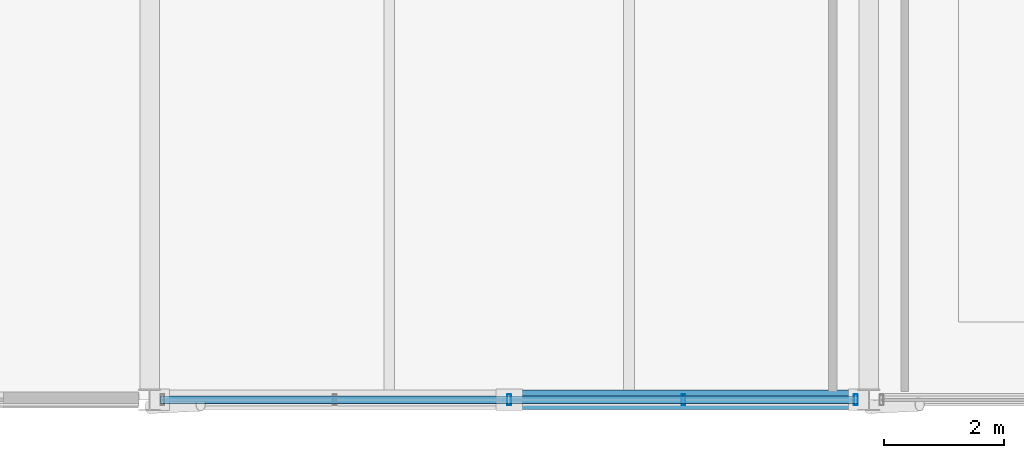
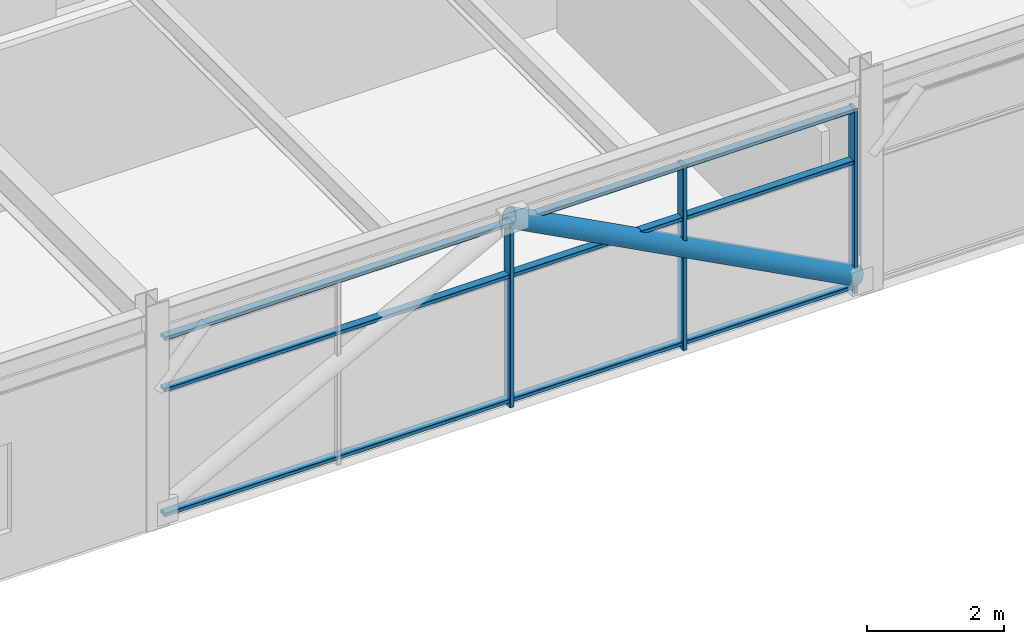
# One storey, part 7 of 40: 7 members, 1 element without a shape of its own.
"""IFC4 building model written with IfcOpenShell, lengths in metres."""

from ifc_helpers import new_model, si_unit, direction, frame, origin, origin_2d, place, context, subcontext, project, spatial, hollow_rectangle, hollow_circle, extrude, material, material_profile, profile_set, type_object, element, aggregate, save


model = new_model("IFC4")

# Units and contexts
model_context = context("Model", 3, precision=1e-05, world=origin(), true_north=direction((0.0, 1.0)))
body_context = subcontext(model_context, "Body", "Model", "MODEL_VIEW")
ifc_project = project(units=[si_unit("LENGTHUNIT", "METRE"), si_unit("AREAUNIT", "SQUARE_METRE"), si_unit("VOLUMEUNIT", "CUBIC_METRE"), si_unit("PLANEANGLEUNIT", "RADIAN"), si_unit("MASSUNIT", "GRAM", prefix="KILO")], contexts=[model_context])

# Site, building, storey
site_placement = place(None, origin())
site = spatial("IfcSite", under=ifc_project, at=site_placement, CompositionType="ELEMENT")
building_placement = place(site_placement, origin())
building = spatial("IfcBuilding", under=site, at=building_placement, Name="Girod Span Mobility Hub", CompositionType="ELEMENT")
storey_placement = place(building_placement, frame((0.0, 0.0, 53.60009765625)))
storey = spatial("IfcBuildingStorey", under=building, at=storey_placement, Name="L13", CompositionType="ELEMENT", Elevation=53.60009765625)

# Curtain wall, members
ifc_material_1 = material(Name="Thermally Broken Anodised Aluminium", Category="aluminium")
curtain_wall_type = type_object("IfcCurtainWallType", Name="CW-1164X327", PredefinedType="USERDEFINED", material=ifc_material_1)
curtain_wall_placement = place(storey_placement, origin())
curtain_wall = element("IfcCurtainWall", 1, at=curtain_wall_placement, inside=storey, type_object=curtain_wall_type, Name="Unitised Curtain Wall CW-L13-S05 L13", ObjectType="UNITISED CURTAIN WALL", PredefinedType="USERDEFINED")
ifc_material_2 = material(Name="Thermally Broken Anodised Aluminium", Category="aluminium")
ifc_material_profile_1 = material_profile(ifc_material_2, hollow_rectangle(XDim=0.179931640625, YDim=0.06494140625, WallThickness=0.00390625, InnerFilletRadius=0.00390625, OuterFilletRadius=0.008056640625, at=origin_2d()), Name="CW-ML-65X180")
ifc_profile_set_1 = profile_set([ifc_material_profile_1], Name="Thermally Broken Anodised Aluminium")
member_type_1 = type_object("IfcMemberType", Name="CWM-ML-2", PredefinedType="MULLION", material=ifc_profile_set_1)
member_1_placement = place(storey_placement, frame((54.0, 45.0, 0.0), z_axis=(0.0, 0.0, 1.0), x_axis=(0.0, 1.0, 0.0)))
member_1 = element("IfcMember", 2, at=member_1_placement, type_object=member_type_1, Name="Curtain Wall Mullion CW-L13-S05-M2", PredefinedType="MULLION", context=body_context, shape_type="SweptSolid", body=[
    extrude(hollow_rectangle(XDim=0.179931640625, YDim=0.06494140625, WallThickness=0.00390625, InnerFilletRadius=0.00390625, OuterFilletRadius=0.008056640625, at=origin_2d()), origin(), (0.0, 0.0, 1.0), 3.27099609375),
])
member_2_placement = place(storey_placement, frame((56.90869140625, 45.0, 0.0), z_axis=(0.0, 0.0, 1.0), x_axis=(0.0, 1.0, 0.0)))
member_2 = element("IfcMember", 3, at=member_2_placement, type_object=member_type_1, Name="Curtain Wall Mullion CW-L13-S05-M3", PredefinedType="MULLION", context=body_context, shape_type="SweptSolid", body=[
    extrude(hollow_rectangle(XDim=0.179931640625, YDim=0.06494140625, WallThickness=0.00390625, InnerFilletRadius=0.00390625, OuterFilletRadius=0.008056640625, at=origin_2d()), origin(), (0.0, 0.0, 1.0), 3.27099609375),
])
member_3_placement = place(storey_placement, frame((59.785400390625, 45.0, 0.0), z_axis=(0.0, 0.0, 1.0), x_axis=(0.0, 1.0, 0.0)))
member_3 = element("IfcMember", 4, at=member_3_placement, type_object=member_type_1, Name="Curtain Wall Mullion CW-L13-S05-M4", PredefinedType="MULLION", context=body_context, shape_type="SweptSolid", body=[
    extrude(hollow_rectangle(XDim=0.179931640625, YDim=0.06494140625, WallThickness=0.00390625, InnerFilletRadius=0.00390625, OuterFilletRadius=0.008056640625, at=origin_2d()), origin(), (0.0, 0.0, 1.0), 3.27099609375),
])
ifc_material_3 = material(Name="Thermally Broken Anodised Aluminium", Category="aluminium")
ifc_material_profile_2 = material_profile(ifc_material_3, hollow_rectangle(XDim=0.135009765625, YDim=0.06494140625, WallThickness=0.00390625, InnerFilletRadius=0.00390625, OuterFilletRadius=0.008056640625, at=origin_2d()), Name="CW-TR-65X135")
ifc_profile_set_2 = profile_set([ifc_material_profile_2], Name="Thermally Broken Anodised Aluminium")
member_type_2 = type_object("IfcMemberType", Name="CWM-TR-2", PredefinedType="USERDEFINED", material=ifc_profile_set_2)
member_4_placement = place(storey_placement, frame((48.1826171875, 45.0, 0.107421875), z_axis=(1.0, 0.0, 0.0), x_axis=(0.0, 1.0, 0.0)))
member_4 = element("IfcMember", 5, at=member_4_placement, type_object=member_type_2, Name="Curtain Wall Transom CW-L13-S05-T1", ObjectType="TRANSOM", PredefinedType="USERDEFINED", context=body_context, shape_type="SweptSolid", body=[
    extrude(hollow_rectangle(XDim=0.135009765625, YDim=0.06494140625, WallThickness=0.00390625, InnerFilletRadius=0.00390625, OuterFilletRadius=0.008056640625, at=origin_2d()), origin(), (0.0, 0.0, 1.0), 11.634765625),
])
member_5_placement = place(storey_placement, frame((48.1826171875, 45.0, 2.322509765625), z_axis=(1.0, 0.0, 0.0), x_axis=(0.0, 1.0, 0.0)))
member_5 = element("IfcMember", 6, at=member_5_placement, type_object=member_type_2, Name="Curtain Wall Transom CW-L13-S05-T2", ObjectType="TRANSOM", PredefinedType="USERDEFINED", context=body_context, shape_type="SweptSolid", body=[
    extrude(hollow_rectangle(XDim=0.135009765625, YDim=0.06494140625, WallThickness=0.00390625, InnerFilletRadius=0.00390625, OuterFilletRadius=0.008056640625, at=origin_2d()), origin(), (0.0, 0.0, 1.0), 11.634765625),
])
member_6_placement = place(storey_placement, frame((48.1826171875, 45.0, 3.23828125), z_axis=(1.0, 0.0, 0.0), x_axis=(0.0, 1.0, 0.0)))
member_6 = element("IfcMember", 7, at=member_6_placement, type_object=member_type_2, Name="Curtain Wall Transom CW-L13-S05-T3", ObjectType="TRANSOM", PredefinedType="USERDEFINED", context=body_context, shape_type="SweptSolid", body=[
    extrude(hollow_rectangle(XDim=0.135009765625, YDim=0.06494140625, WallThickness=0.00390625, InnerFilletRadius=0.00390625, OuterFilletRadius=0.008056640625, at=origin_2d()), origin(), (0.0, 0.0, 1.0), 11.634765625),
])
aggregate(curtain_wall, [member_1, member_2, member_3, member_4, member_5, member_6])

# Member
ifc_material_4 = material(Name="Steel HSS A500 Grade C", Category="steel")
ifc_material_profile_3 = material_profile(ifc_material_4, hollow_circle(Radius=0.162109375, WallThickness=0.01171875, at=origin_2d()), Name="HSS324X12.7")
ifc_profile_set_3 = profile_set([ifc_material_profile_3], Name="Steel HSS A500 Grade C")
member_type_3 = type_object("IfcMemberType", Name="MB-BR-HSS324", PredefinedType="BRACE", material=ifc_profile_set_3)
member_7_placement = place(storey_placement, frame((59.83544921875, 45.0, 0.25), z_axis=(-0.884322806582, 0.0, 0.466875972565), x_axis=(0.0, -1.0, 0.0)))
element("IfcMember", 8, at=member_7_placement, inside=storey, type_object=member_type_3, Name="Upper Diagrid Brace 5/D-R L13", PredefinedType="BRACE", context=body_context, shape_type="SweptSolid", body=[
    extrude(hollow_circle(Radius=0.162109375, WallThickness=0.01171875, at=origin_2d()), origin(), (0.0, 0.0, 1.0), 6.598876953125),
])

save(model, "model.ifc")
